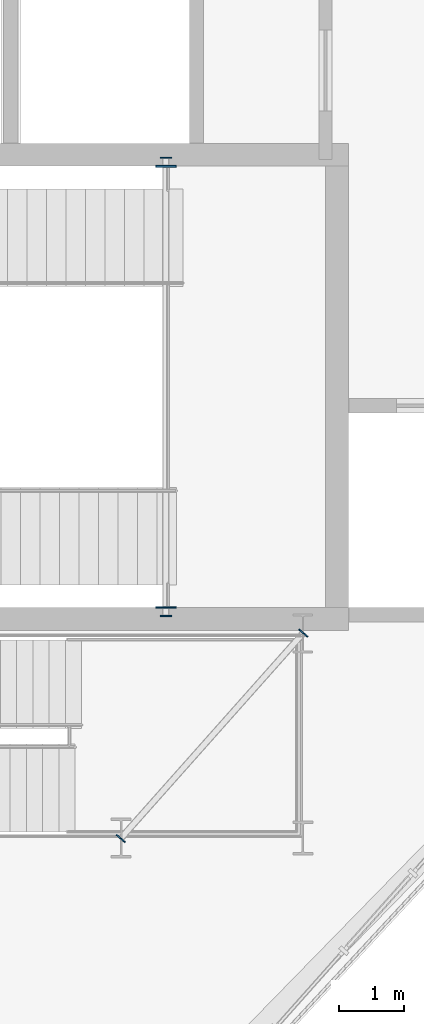
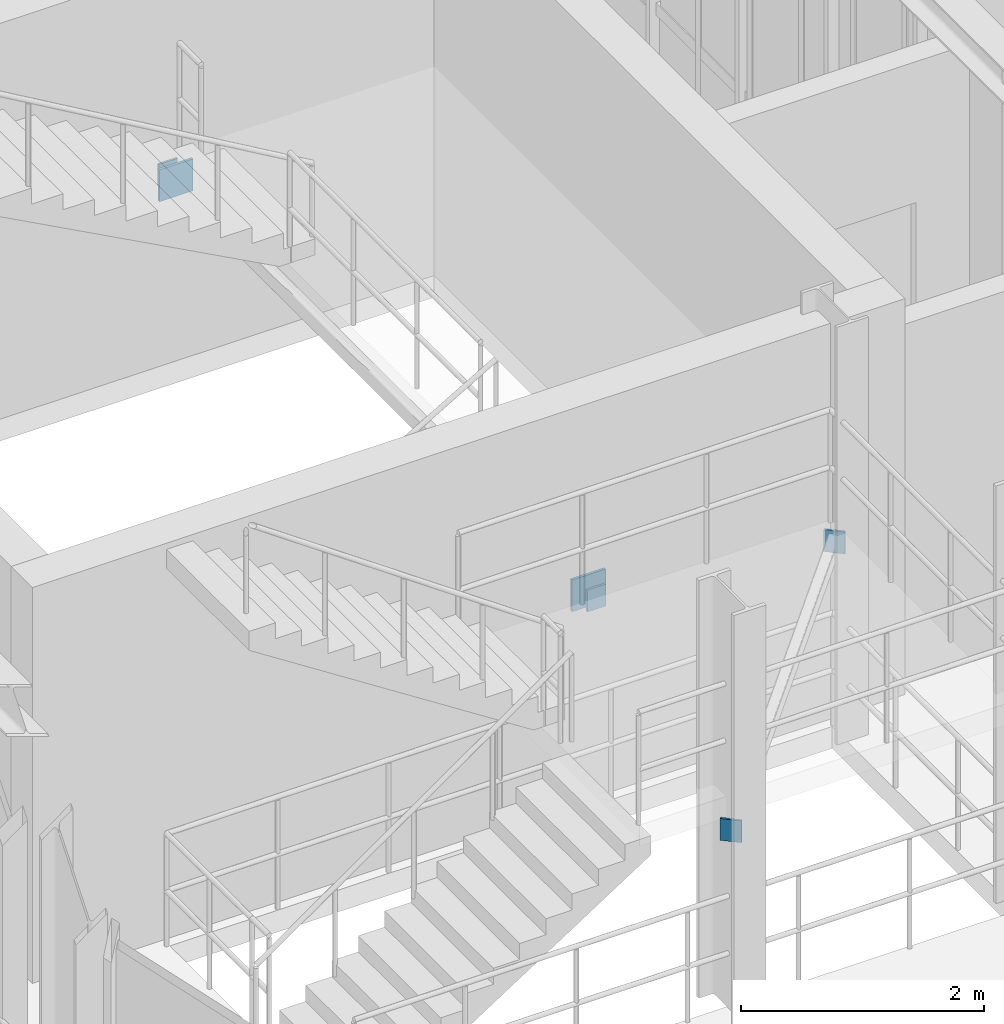
# One storey, part 107 of 148: 6 plates.
"""IFC4 building model written with IfcOpenShell, lengths in metres."""

from ifc_helpers import new_model, si_unit, direction, frame, origin, origin_2d, place, context, subcontext, project, spatial, rectangle, extrude, material, layer, layer_set, type_object, element, save


model = new_model("IFC4")

# Units and contexts
model_context = context("Model", 3, precision=1e-05, world=origin(), true_north=direction((0.0, 1.0)))
body_context = subcontext(model_context, "Body", "Model", "MODEL_VIEW")
ifc_project = project(units=[si_unit("LENGTHUNIT", "METRE"), si_unit("AREAUNIT", "SQUARE_METRE"), si_unit("VOLUMEUNIT", "CUBIC_METRE"), si_unit("PLANEANGLEUNIT", "RADIAN"), si_unit("MASSUNIT", "GRAM", prefix="KILO"), si_unit("THERMODYNAMICTEMPERATUREUNIT", "KELVIN"), si_unit("POWERUNIT", "WATT")], contexts=[model_context])

# Site, building, storey
site_placement = place(None, origin())
site = spatial("IfcSite", under=ifc_project, at=site_placement, CompositionType="ELEMENT")
building_placement = place(site_placement, origin())
building = spatial("IfcBuilding", under=site, at=building_placement, Name="Solvatero Civic Police Headquarters", CompositionType="ELEMENT")
storey_placement = place(building_placement, frame((0.0, 0.0, 5.10009765625)))
storey = spatial("IfcBuildingStorey", under=building, at=storey_placement, Name="L01", CompositionType="ELEMENT", Elevation=5.10009765625)

# Plates
ifc_material = material(Name="Steel S355", Category="steel")
ifc_layer_1 = layer(ifc_material, 0.02001953125)
ifc_layer_set_1 = layer_set([ifc_layer_1], Name="Steel S355")
plate_type_1 = type_object("IfcPlateType", Name="PLT-CAP-20", PredefinedType="SHEET", material=ifc_layer_set_1)
for number, where, z_axis, x_axis, name in (
    (1, (43.340087890625, 15.8701171875, 1.71484375), (0.0, 0.0, 1.0), (1.0, 0.0, 0.0), "Hollow Section Cap Plate 0007"),
    (2, (43.340087890625, 22.929931640625, 1.71484375), (0.0, 0.0, 1.0), (1.0, 0.0, 0.0), "Hollow Section Cap Plate 0008"),
):
    element("IfcPlate", number, at=place(storey_placement, frame(where, z_axis=z_axis, x_axis=x_axis)), inside=storey, type_object=plate_type_1, Name=name, PredefinedType="SHEET", context=body_context, shape_type="SweptSolid", body=[
        extrude(rectangle(XDim=0.179931640625, YDim=0.02001953125, at=origin_2d()), origin(), (0.0, 0.0, 1.0), 0.219970703125),
    ])
for number, where, z_axis, x_axis, name in (
    (3, (42.643310546875, 12.4423828125, 1.69970703125), (0.0, 0.0, 1.0), (0.664369848049, 0.747403977112, 0.0), "Hollow Section Cap Plate 0079"),
    (4, (45.45654296875, 15.607421875, 1.69970703125), (0.0, 0.0, 1.0), (0.664369848049, 0.747403977112, 0.0), "Hollow Section Cap Plate 0080"),
):
    element("IfcPlate", number, at=place(storey_placement, frame(where, z_axis=z_axis, x_axis=x_axis)), inside=storey, type_object=plate_type_1, Name=name, PredefinedType="SHEET", context=body_context, shape_type="SweptSolid", body=[
        extrude(rectangle(XDim=0.02001953125, YDim=0.179931640625, at=origin_2d()), origin(), (0.0, 0.0, 1.0), 0.219970703125),
    ])
ifc_layer_2 = layer(ifc_material, 0.02490234375)
ifc_layer_set_2 = layer_set([ifc_layer_2], Name="Steel S355")
plate_type_2 = type_object("IfcPlateType", Name="PLT-EMB-25", PredefinedType="SHEET", material=ifc_layer_set_2)
for number, where, z_axis, x_axis, name in (
    (5, (43.340087890625, 16.0, 1.6650390625), (0.0, 0.0, 1.0), (1.0, 0.0, 0.0), "Cast-In Shear Wall Embed Plate 0007"),
    (6, (43.340087890625, 22.800048828125, 1.6650390625), (0.0, 0.0, 1.0), (1.0, 0.0, 0.0), "Cast-In Shear Wall Embed Plate 0008"),
):
    element("IfcPlate", number, at=place(storey_placement, frame(where, z_axis=z_axis, x_axis=x_axis)), inside=storey, type_object=plate_type_2, Name=name, PredefinedType="SHEET", context=body_context, shape_type="SweptSolid", body=[
        extrude(rectangle(XDim=0.320068359375, YDim=0.02490234375, at=origin_2d()), origin(), (0.0, 0.0, 1.0), 0.320068359375),
    ])

save(model, "model.ifc")
